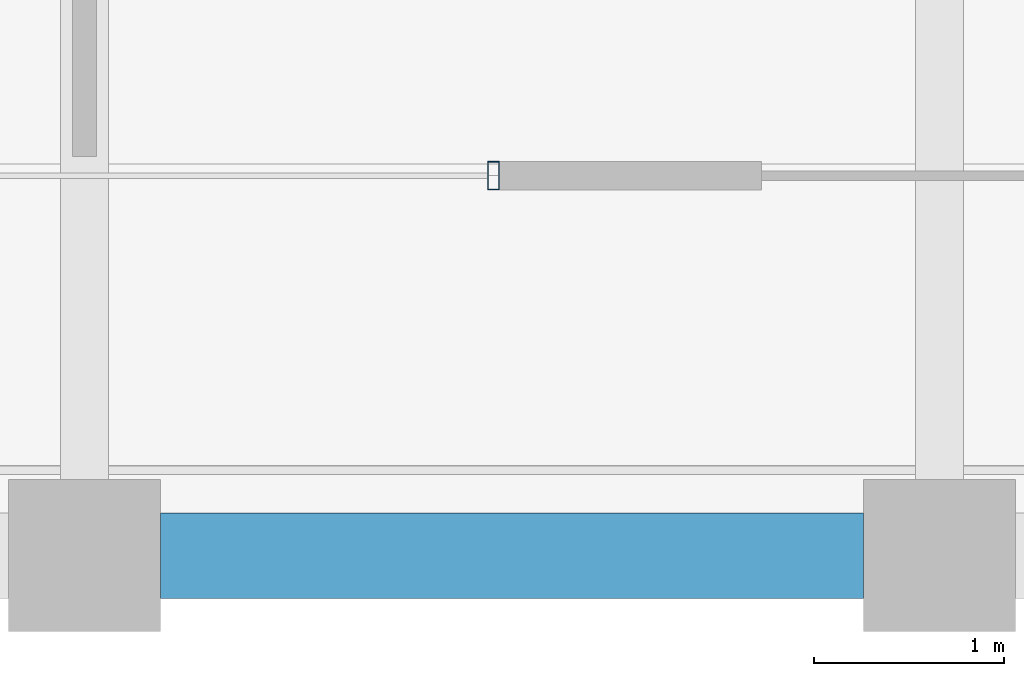
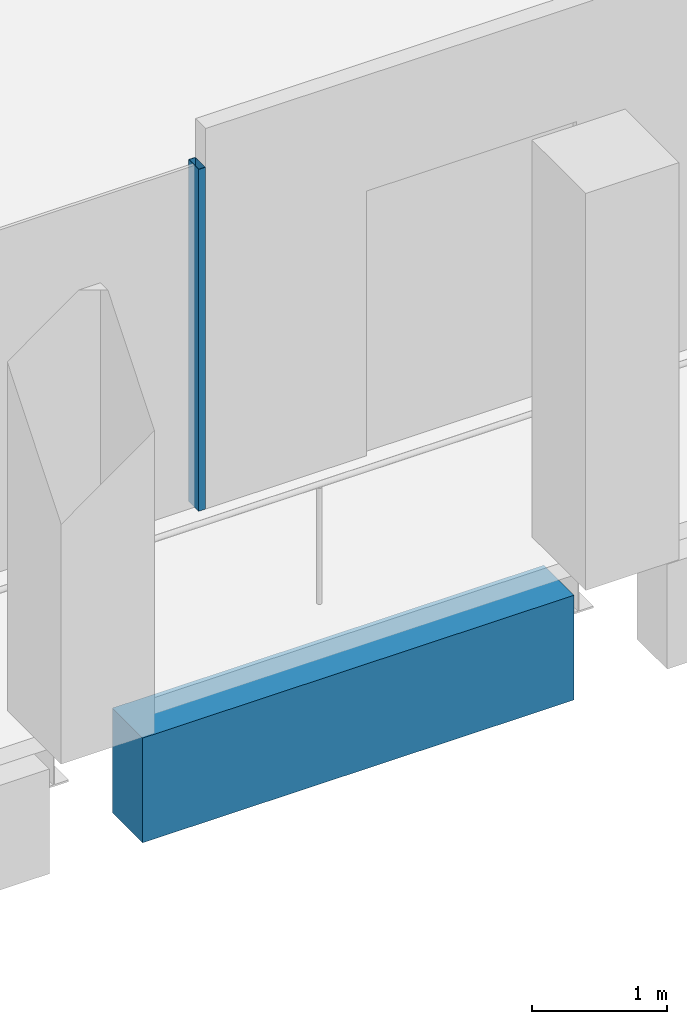
# One storey, part 7 of 30: 1 beam, 1 member, 1 element without a shape of its own.
"""IFC4 building model written with IfcOpenShell, lengths in metres."""

from ifc_helpers import new_model, si_unit, direction, frame, origin, origin_2d, place, context, subcontext, project, spatial, rectangle, hollow_rectangle, extrude, material, material_profile, profile_set, type_object, element, aggregate, save


model = new_model("IFC4")

# Units and contexts
model_context = context("Model", 3, precision=1e-05, world=origin(), true_north=direction((0.0, 1.0)))
body_context = subcontext(model_context, "Body", "Model", "MODEL_VIEW")
ifc_project = project(units=[si_unit("LENGTHUNIT", "METRE"), si_unit("AREAUNIT", "SQUARE_METRE"), si_unit("VOLUMEUNIT", "CUBIC_METRE"), si_unit("PLANEANGLEUNIT", "RADIAN"), si_unit("MASSUNIT", "GRAM", prefix="KILO")], contexts=[model_context])

# Site, building, storey
site_placement = place(None, origin())
site = spatial("IfcSite", under=ifc_project, at=site_placement, CompositionType="ELEMENT")
building_placement = place(site_placement, origin())
building = spatial("IfcBuilding", under=site, at=building_placement, Name="Altepetl Exchange Towers", CompositionType="ELEMENT")
storey_placement = place(building_placement, frame((0.0, 0.0, 224.39990234375)))
storey = spatial("IfcBuildingStorey", under=building, at=storey_placement, Name="L57", CompositionType="ELEMENT", Elevation=224.39990234375)

# Curtain wall, member
ifc_material_1 = material(Name="Aluminium 6063-T6 glazing", Category="aluminium")
curtain_wall_type = type_object("IfcCurtainWallType", Name="Loggia glazing system", PredefinedType="NOTDEFINED", material=ifc_material_1)
curtain_wall_placement = place(storey_placement, origin())
curtain_wall = element("IfcCurtainWall", 1, at=curtain_wall_placement, inside=storey, type_object=curtain_wall_type, Name="CW1 run", PredefinedType="NOTDEFINED")
ifc_material_2 = material(Name="Aluminium 6063-T6", Category="aluminium")
ifc_material_profile_1 = material_profile(ifc_material_2, hollow_rectangle(XDim=0.06005859375, YDim=0.14990234375, WallThickness=0.0029296875, at=origin_2d()), Name="Mullion 60x150 aluminium")
ifc_profile_set_1 = profile_set([ifc_material_profile_1], Name="Aluminium 6063-T6")
member_type = type_object("IfcMemberType", Name="Mullion 60x150 aluminium", PredefinedType="MULLION", material=ifc_profile_set_1)
member_placement = place(storey_placement, frame((47.152099609375, 29.0, 0.0)))
member = element("IfcMember", 2, at=member_placement, type_object=member_type, Name="MU1 mullion", PredefinedType="MULLION", context=body_context, shape_type="SweptSolid", body=[
    extrude(hollow_rectangle(XDim=0.06005859375, YDim=0.14990234375, WallThickness=0.0029296875, at=origin_2d()), origin(), (0.0, 0.0, 1.0), 3.10009765625),
])
aggregate(curtain_wall, [member])

# Beam
ifc_material_3 = material(Name="Concrete C50/60 precast with cantera blanca facing", Category="concrete")
ifc_material_profile_2 = material_profile(ifc_material_3, rectangle(XDim=0.449951171875, YDim=0.949951171875, at=origin_2d()), Name="450 x 950")
ifc_profile_set_2 = profile_set([ifc_material_profile_2], Name="Concrete C50/60 precast with cantera blanca facing")
beam_type = type_object("IfcBeamType", Name="Spandrel beam 450x950 cantera blanca", PredefinedType="SPANDREL", material=ifc_profile_set_2)
beam_placement = place(storey_placement, frame((45.39990234375, 27.0, -0.625), z_axis=(1.0, 0.0, 0.0), x_axis=(0.0, 1.0, 0.0)))
element("IfcBeam", 3, at=beam_placement, inside=storey, type_object=beam_type, Name="sp:A:L57:003", PredefinedType="SPANDREL", context=body_context, shape_type="SweptSolid", body=[
    extrude(rectangle(XDim=0.449951171875, YDim=0.949951171875, at=origin_2d()), origin(), (0.0, 0.0, 1.0), 3.7001953125),
])

save(model, "model.ifc")
